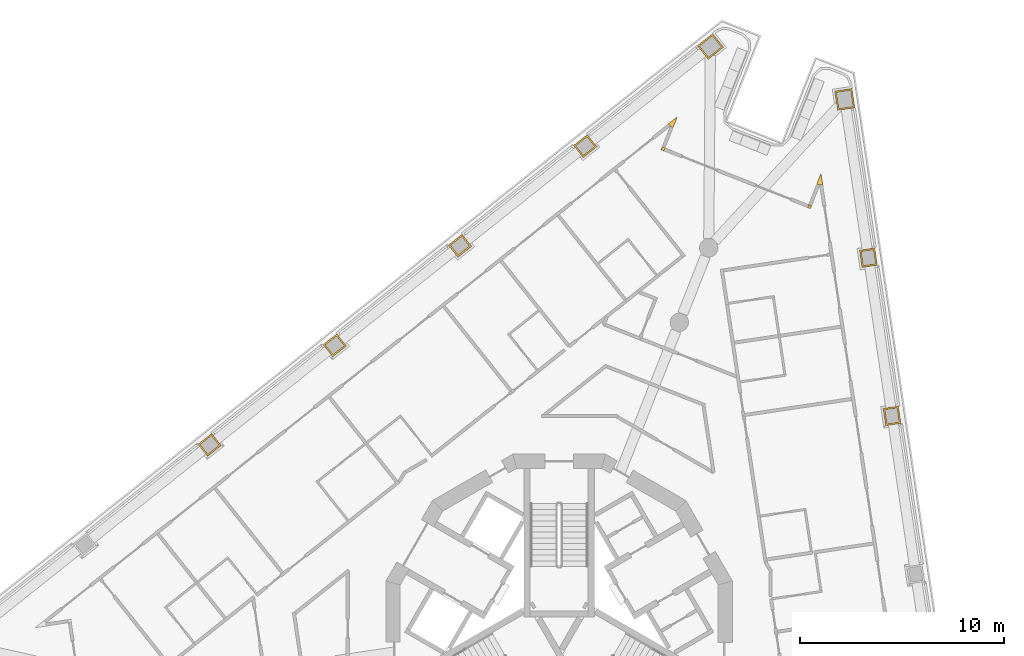
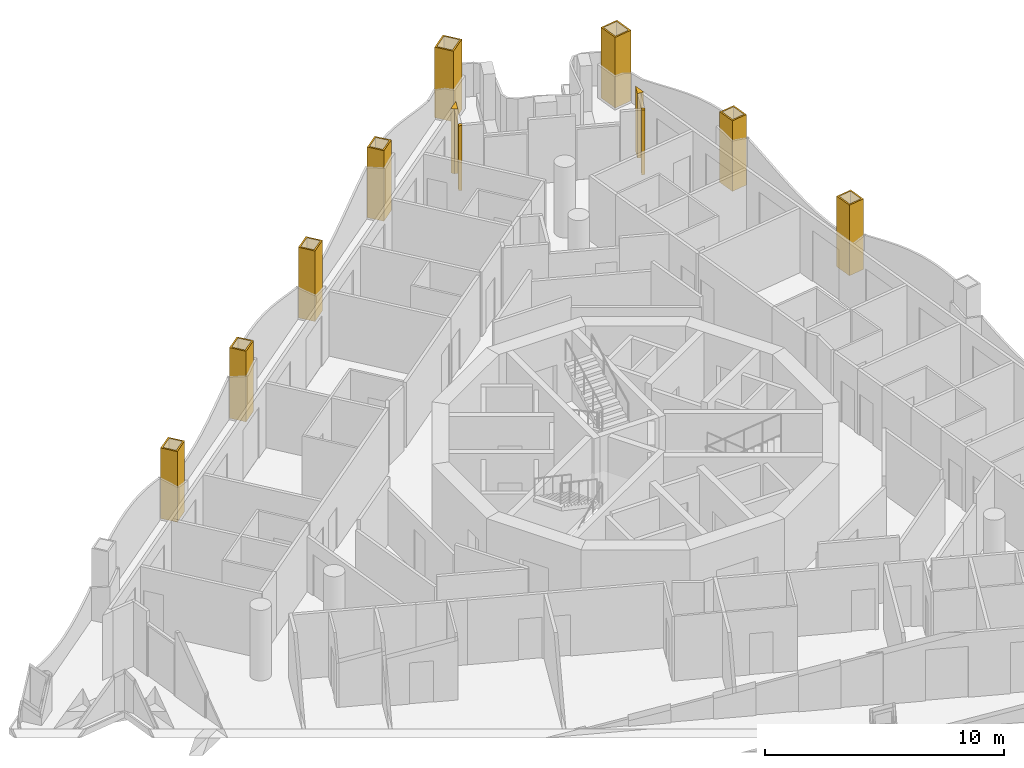
# One storey, part 15 of 16: 12 coverings.
"""IFC4 building model written with IfcOpenShell, lengths in metres."""

from ifc_helpers import new_model, si_unit, direction, frame, origin, place, context, subcontext, project, spatial, polyline, outline, extrude, material, layer, layer_set, type_object, element, save


model = new_model("IFC4")

# Units and contexts
model_context = context("Model", 3, precision=1e-05, world=origin(), true_north=direction((0.0, 1.0)))
body_context = subcontext(model_context, "Body", "Model", "MODEL_VIEW")
ifc_project = project(units=[si_unit("LENGTHUNIT", "METRE"), si_unit("AREAUNIT", "SQUARE_METRE"), si_unit("VOLUMEUNIT", "CUBIC_METRE"), si_unit("PLANEANGLEUNIT", "RADIAN"), si_unit("MASSUNIT", "GRAM", prefix="KILO")], contexts=[model_context])

# Site, building, storey
site_placement = place(None, origin())
site = spatial("IfcSite", under=ifc_project, at=site_placement, CompositionType="ELEMENT")
building_placement = place(site_placement, origin())
building = spatial("IfcBuilding", under=site, at=building_placement, Name="Trine Commons Tower", CompositionType="ELEMENT")
storey_placement = place(building_placement, frame((0.0, 0.0, 219.60009765625)))
storey = spatial("IfcBuildingStorey", under=building, at=storey_placement, Name="L57", CompositionType="ELEMENT", Elevation=219.60009765625)

# Coverings
ifc_material_1 = material(Name="Aluminium-framed insulated wall panel", Category="aluminium")
ifc_layer_1 = layer(ifc_material_1, 0.14990234375)
ifc_layer_set_1 = layer_set([ifc_layer_1], Name="Aluminium-framed insulated wall panel")
covering_type_1 = type_object("IfcCoveringType", Name="Glazing corner post, aluminium", PredefinedType="CLADDING", material=ifc_layer_set_1)
covering_1_placement = place(storey_placement, origin())
element("IfcCovering", 1, at=covering_1_placement, inside=storey, type_object=covering_type_1, Name="Glazing corner post 6-02", PredefinedType="CLADDING", context=body_context, shape_type="SweptSolid", body=[
    extrude(outline(polyline([(85.451416015625, 87.089599609375), (85.451416015625, 87.089599609375), (85.591064453125, 87.03466796875), (85.796142578125, 87.5556640625), (85.358154296875, 87.20703125), (85.451416015625, 87.089599609375)])), origin(), (0.0, 0.0, 1.0), 3.2998046875),
])
covering_2_placement = place(storey_placement, origin())
element("IfcCovering", 2, at=covering_2_placement, inside=storey, type_object=covering_type_1, Name="Glazing corner post 6-03", PredefinedType="CLADDING", context=body_context, shape_type="SweptSolid", body=[
    extrude(outline(polyline([(85.13818359375, 85.885009765625), (85.193115234375, 86.0244140625), (85.0537109375, 86.07958984375), (84.99853515625, 85.93994140625), (85.13818359375, 85.885009765625)])), origin(), (0.0, 0.0, 1.0), 3.2998046875),
])
covering_3_placement = place(storey_placement, origin())
element("IfcCovering", 3, at=covering_3_placement, inside=storey, type_object=covering_type_1, Name="Glazing corner post 6-04", PredefinedType="CLADDING", context=body_context, shape_type="SweptSolid", body=[
    extrude(outline(polyline([(92.190673828125, 83.10693359375), (92.330322265625, 83.052001953125), (92.38525390625, 83.19140625), (92.24560546875, 83.246337890625), (92.190673828125, 83.10693359375)])), origin(), (0.0, 0.0, 1.0), 3.2998046875),
])
covering_4_placement = place(storey_placement, origin())
element("IfcCovering", 4, at=covering_4_placement, inside=storey, type_object=covering_type_1, Name="Glazing corner post 6-05", PredefinedType="CLADDING", context=body_context, shape_type="SweptSolid", body=[
    extrude(outline(polyline([(92.6435546875, 84.256591796875), (92.783203125, 84.20166015625), (92.931396484375, 84.223876953125), (92.848876953125, 84.777587890625), (92.6435546875, 84.256591796875)])), origin(), (0.0, 0.0, 1.0), 3.2998046875),
])
ifc_material_2 = material(Name="Limestone, honed", Category="masonry")
ifc_layer_2 = layer(ifc_material_2, 0.074951171875)
ifc_layer_set_2 = layer_set([ifc_layer_2], Name="Limestone, honed")
covering_type_2 = type_object("IfcCoveringType", Name="Limestone column cladding 75", PredefinedType="CLADDING", material=ifc_layer_set_2)
covering_5_placement = place(storey_placement, origin())
element("IfcCovering", 5, at=covering_5_placement, inside=storey, type_object=covering_type_2, Name="Limestone pier cladding 6-10", PredefinedType="CLADDING", context=body_context, shape_type="SweptSolid", body=[
    extrude(outline(polyline([(63.40966796875, 71.4287109375), (62.942626953125, 72.015625), (62.27734375, 71.486572265625), (62.744384765625, 70.899658203125), (63.40966796875, 71.4287109375)]), holes=[polyline([(63.30419921875, 71.440673828125), (62.9306640625, 71.910400390625), (62.3828125, 71.474609375), (62.75634765625, 71.0048828125), (63.30419921875, 71.440673828125)])]), origin(), (0.0, 0.0, 1.0), 3.599853515625),
])
covering_6_placement = place(storey_placement, origin())
element("IfcCovering", 6, at=covering_6_placement, inside=storey, type_object=covering_type_2, Name="Limestone pier cladding 6-11", PredefinedType="CLADDING", context=body_context, shape_type="SweptSolid", body=[
    extrude(outline(polyline([(69.553466796875, 76.31591796875), (69.086669921875, 76.902587890625), (68.42138671875, 76.37353515625), (68.88818359375, 75.78662109375), (69.553466796875, 76.31591796875)]), holes=[polyline([(69.447998046875, 76.327880859375), (69.07470703125, 76.79736328125), (68.526611328125, 76.361572265625), (68.900146484375, 75.89208984375), (69.447998046875, 76.327880859375)])]), origin(), (0.0, 0.0, 1.0), 3.599853515625),
])
covering_7_placement = place(storey_placement, origin())
element("IfcCovering", 7, at=covering_7_placement, inside=storey, type_object=covering_type_2, Name="Limestone pier cladding 6-12", PredefinedType="CLADDING", context=body_context, shape_type="SweptSolid", body=[
    extrude(outline(polyline([(75.697509765625, 81.202880859375), (75.230712890625, 81.789794921875), (74.565185546875, 81.2607421875), (75.0322265625, 80.673828125), (75.697509765625, 81.202880859375)]), holes=[polyline([(75.592041015625, 81.21484375), (75.218505859375, 81.6845703125), (74.670654296875, 81.248779296875), (75.044189453125, 80.779052734375), (75.592041015625, 81.21484375)])]), origin(), (0.0, 0.0, 1.0), 3.599853515625),
])
covering_8_placement = place(storey_placement, origin())
element("IfcCovering", 8, at=covering_8_placement, inside=storey, type_object=covering_type_2, Name="Limestone pier cladding 6-13", PredefinedType="CLADDING", context=body_context, shape_type="SweptSolid", body=[
    extrude(outline(polyline([(81.84130859375, 86.090087890625), (81.37451171875, 86.677001953125), (80.709228515625, 86.147705078125), (81.176025390625, 85.560791015625), (81.84130859375, 86.090087890625)]), holes=[polyline([(81.736083984375, 86.10205078125), (81.362548828125, 86.571533203125), (80.814697265625, 86.1357421875), (81.18798828125, 85.666259765625), (81.736083984375, 86.10205078125)])]), origin(), (0.0, 0.0, 1.0), 3.599853515625),
])
covering_9_placement = place(storey_placement, origin())
element("IfcCovering", 9, at=covering_9_placement, inside=storey, type_object=covering_type_2, Name="Limestone pier cladding 6-14", PredefinedType="CLADDING", context=body_context, shape_type="SweptSolid", body=[
    extrude(outline(polyline([(88.0556640625, 90.968994140625), (87.526611328125, 91.63427734375), (86.782958984375, 91.04296875), (87.31201171875, 90.377685546875), (88.0556640625, 90.968994140625)]), holes=[polyline([(87.9501953125, 90.981201171875), (87.514404296875, 91.52880859375), (86.888427734375, 91.031005859375), (87.32421875, 90.483154296875), (87.9501953125, 90.981201171875)])]), origin(), (0.0, 0.0, 1.0), 3.599853515625),
])
covering_10_placement = place(storey_placement, origin())
element("IfcCovering", 10, at=covering_10_placement, inside=storey, type_object=covering_type_2, Name="Limestone pier cladding 6-15", PredefinedType="CLADDING", context=body_context, shape_type="SweptSolid", body=[
    extrude(outline(polyline([(94.364990234375, 88.9404296875), (93.5244140625, 88.81494140625), (93.664794921875, 87.875244140625), (94.505615234375, 88.0009765625), (94.364990234375, 88.9404296875)]), holes=[polyline([(94.302001953125, 88.855224609375), (93.609619140625, 88.751708984375), (93.72802734375, 87.960693359375), (94.42041015625, 88.06396484375), (94.302001953125, 88.855224609375)])]), origin(), (0.0, 0.0, 1.0), 3.599853515625),
])
covering_11_placement = place(storey_placement, origin())
element("IfcCovering", 11, at=covering_11_placement, inside=storey, type_object=covering_type_2, Name="Limestone pier cladding 6-16", PredefinedType="CLADDING", context=body_context, shape_type="SweptSolid", body=[
    extrude(outline(polyline([(95.4833984375, 81.119384765625), (94.74169921875, 81.00830078125), (94.8671875, 80.167724609375), (95.609130859375, 80.278564453125), (95.4833984375, 81.119384765625)]), holes=[polyline([(95.42041015625, 81.033935546875), (94.826904296875, 80.9453125), (94.930419921875, 80.2529296875), (95.523681640625, 80.341796875), (95.42041015625, 81.033935546875)])]), origin(), (0.0, 0.0, 1.0), 3.599853515625),
])
covering_12_placement = place(storey_placement, origin())
element("IfcCovering", 12, at=covering_12_placement, inside=storey, type_object=covering_type_2, Name="Limestone pier cladding 6-17", PredefinedType="CLADDING", context=body_context, shape_type="SweptSolid", body=[
    extrude(outline(polyline([(96.643798828125, 73.35498046875), (95.902099609375, 73.244140625), (96.027587890625, 72.4033203125), (96.769287109375, 72.514404296875), (96.643798828125, 73.35498046875)]), holes=[polyline([(96.580810546875, 73.269775390625), (95.9873046875, 73.180908203125), (96.0908203125, 72.48876953125), (96.68408203125, 72.577392578125), (96.580810546875, 73.269775390625)])]), origin(), (0.0, 0.0, 1.0), 3.599853515625),
])

save(model, "model.ifc")
